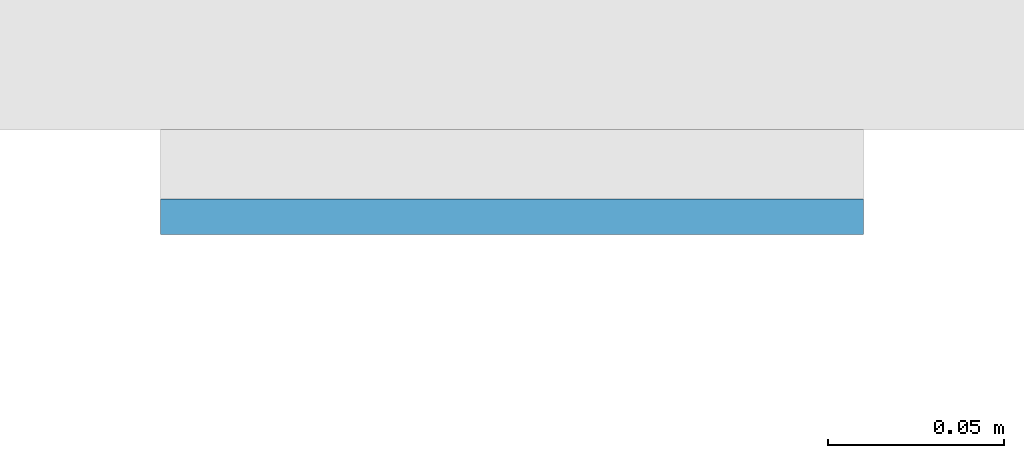
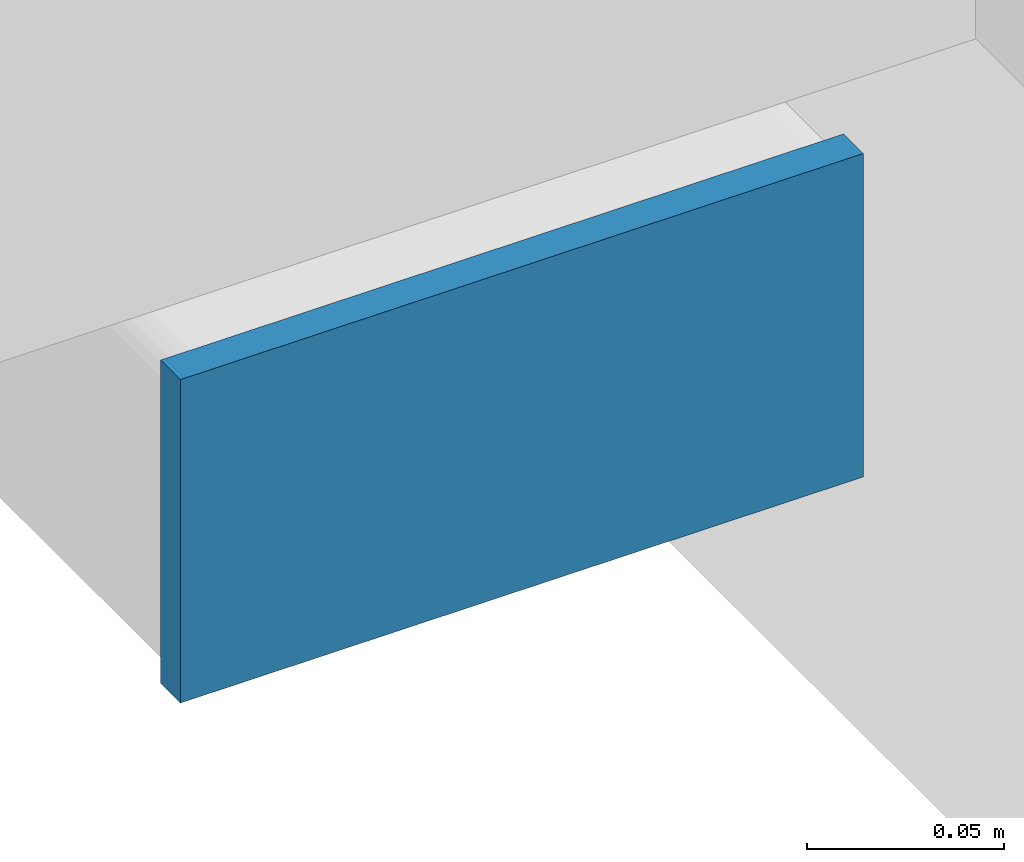
# One storey, part 8 of 20: 1 plate.
"""IFC4 building model written with IfcOpenShell, lengths in metres."""

from ifc_helpers import new_model, si_unit, direction, frame, origin, origin_2d, place, context, subcontext, project, spatial, rectangle, extrude, material, layer, layer_set, type_object, element, save


model = new_model("IFC4")

# Units and contexts
model_context = context("Model", 3, precision=1e-05, world=origin(), true_north=direction((0.0, 1.0)))
body_context = subcontext(model_context, "Body", "Model", "MODEL_VIEW")
ifc_project = project(units=[si_unit("LENGTHUNIT", "METRE"), si_unit("AREAUNIT", "SQUARE_METRE"), si_unit("VOLUMEUNIT", "CUBIC_METRE"), si_unit("PLANEANGLEUNIT", "RADIAN"), si_unit("MASSUNIT", "GRAM", prefix="KILO")], contexts=[model_context])

# Site, building, storey
site_placement = place(None, origin())
site = spatial("IfcSite", under=ifc_project, at=site_placement, CompositionType="ELEMENT")
building_placement = place(site_placement, origin())
building = spatial("IfcBuilding", under=site, at=building_placement, Name="Cleftline Residences", CompositionType="ELEMENT")
storey_placement = place(building_placement, frame((0.0, 0.0, 207.39990234375)))
storey = spatial("IfcBuildingStorey", under=building, at=storey_placement, Name="L54", CompositionType="ELEMENT", Elevation=207.39990234375)

# Plate
ifc_material = material(Name="Steel S355, hot-dip galvanised", Category="steel")
ifc_layer = layer(ifc_material, 0.010009765625)
ifc_layer_set = layer_set([ifc_layer], Name="BAGUETTE CARRIER END PLATE 200X100X10")
plate_type = type_object("IfcPlateType", Name="BAGUETTE CARRIER END PLATE 200X100X10", PredefinedType="USERDEFINED", material=ifc_layer_set)
plate_placement = place(storey_placement, frame((-0.85009765625, 3.695068359375, -0.099853515625), z_axis=(0.0, 0.0, 1.0), x_axis=(-1.0, 0.0, 0.0)))
element("IfcPlate", 1, at=plate_placement, inside=storey, type_object=plate_type, Name="Baguette carrier end plate", ObjectType="BAGUETTE CARRIER END PLATE", PredefinedType="USERDEFINED", context=body_context, shape_type="SweptSolid", body=[
    extrude(rectangle(XDim=0.199951171875, YDim=0.010009765625, at=origin_2d()), origin(), (0.0, 0.0, 1.0), 0.10009765625),
])

save(model, "model.ifc")
